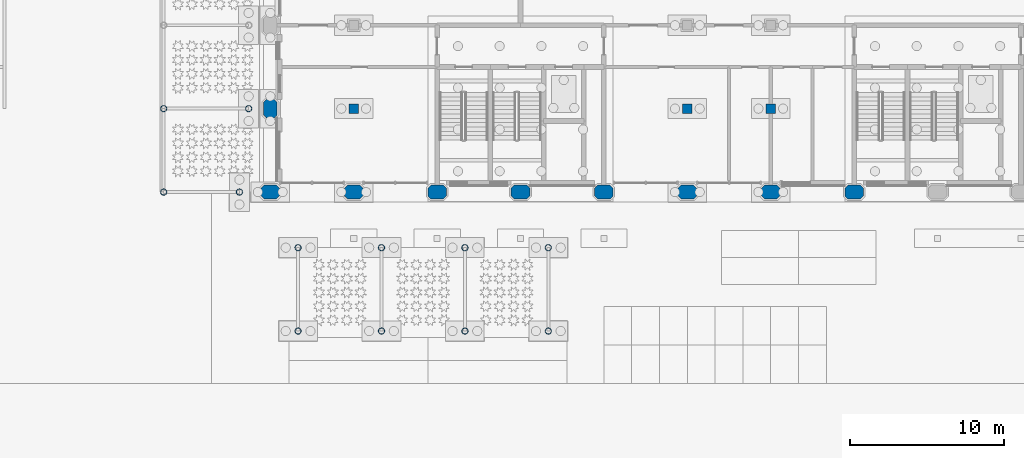
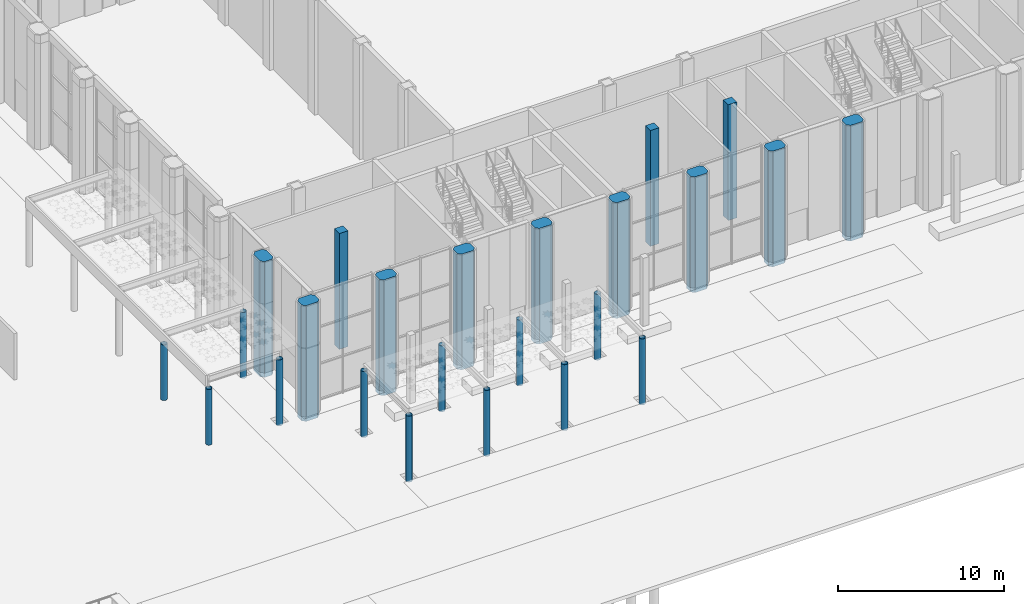
# One storey, part 4 of 54: 24 columns.
"""IFC4 building model written with IfcOpenShell, lengths in metres."""

from ifc_helpers import new_model, si_unit, direction, frame, origin, origin_2d, place, context, subcontext, project, spatial, polyline, rectangle, hollow_circle, outline, extrude, material, material_profile, profile_set, type_object, element, save


model = new_model("IFC4")

# Units and contexts
model_context = context("Model", 3, precision=1e-05, world=origin(), true_north=direction((0.0, 1.0)))
body_context = subcontext(model_context, "Body", "Model", "MODEL_VIEW")
ifc_project = project(units=[si_unit("LENGTHUNIT", "METRE"), si_unit("AREAUNIT", "SQUARE_METRE"), si_unit("VOLUMEUNIT", "CUBIC_METRE"), si_unit("PLANEANGLEUNIT", "RADIAN"), si_unit("MASSUNIT", "GRAM", prefix="KILO")], contexts=[model_context])

# Site, building, storey
site_placement = place(None, origin())
site = spatial("IfcSite", under=ifc_project, at=site_placement, CompositionType="ELEMENT")
building_placement = place(site_placement, origin())
building = spatial("IfcBuilding", under=site, at=building_placement, Name="Tabaq Tower and Sports Hall", CompositionType="ELEMENT")
storey_placement = place(building_placement, origin())
storey = spatial("IfcBuildingStorey", under=building, at=storey_placement, Name="L00", CompositionType="ELEMENT", Elevation=0.0)

# Columns
ifc_material_1 = material(Name="Steel S355", Category="steel")
ifc_material_profile_1 = material_profile(ifc_material_1, hollow_circle(Radius=0.203125, WallThickness=0.01611328125, at=origin_2d()), Name="CHS 406.4x16")
ifc_profile_set_1 = profile_set([ifc_material_profile_1], Name="Steel S355")
column_type_1 = type_object("IfcColumnType", Name="CANOPY COLUMN CHS 406.4x16", PredefinedType="COLUMN", material=ifc_profile_set_1)
column_1_placement = place(storey_placement, frame((62.800048828125, 0.0, -0.300048828125), z_axis=(0.0, 0.0, 1.0), x_axis=(1.0, 0.0, 0.0)))
element("IfcColumn", 1, at=column_1_placement, inside=storey, type_object=column_type_1, Name="Plaza canopy column PC1", PredefinedType="COLUMN", context=body_context, shape_type="SweptSolid", body=[
    extrude(hollow_circle(Radius=0.203125, WallThickness=0.01611328125, at=origin_2d()), origin(), (0.0, 0.0, 1.0), 4.843017578125),
])
column_2_placement = place(storey_placement, frame((57.89990234375, 0.0, 0.0), z_axis=(0.0, 0.0, 1.0), x_axis=(1.0, 0.0, 0.0)))
element("IfcColumn", 2, at=column_2_placement, inside=storey, type_object=column_type_1, Name="Plaza canopy front column PF1", PredefinedType="COLUMN", context=body_context, shape_type="SweptSolid", body=[
    extrude(hollow_circle(Radius=0.203125, WallThickness=0.01611328125, at=origin_2d()), origin(), (0.0, 0.0, 1.0), 4.0859375),
])
column_3_placement = place(storey_placement, frame((63.39990234375, 5.39990234375, -0.300048828125), z_axis=(0.0, 0.0, 1.0), x_axis=(1.0, 0.0, 0.0)))
element("IfcColumn", 3, at=column_3_placement, inside=storey, type_object=column_type_1, Name="Plaza canopy column PC2", PredefinedType="COLUMN", context=body_context, shape_type="SweptSolid", body=[
    extrude(hollow_circle(Radius=0.203125, WallThickness=0.01611328125, at=origin_2d()), origin(), (0.0, 0.0, 1.0), 4.843017578125),
])
column_4_placement = place(storey_placement, frame((57.89990234375, 5.39990234375, 0.0), z_axis=(0.0, 0.0, 1.0), x_axis=(1.0, 0.0, 0.0)))
element("IfcColumn", 4, at=column_4_placement, inside=storey, type_object=column_type_1, Name="Plaza canopy front column PF2", PredefinedType="COLUMN", context=body_context, shape_type="SweptSolid", body=[
    extrude(hollow_circle(Radius=0.203125, WallThickness=0.01611328125, at=origin_2d()), origin(), (0.0, 0.0, 1.0), 4.0859375),
])
for number, where, z_axis, x_axis, name in (
    (5, (66.60009765625, -3.60009765625, -0.300048828125), (0.0, 0.0, 1.0), (1.0, 0.0, 0.0), "Drop-off canopy rear column DC1R"),
    (6, (66.60009765625, -9.0, -0.300048828125), (0.0, 0.0, 1.0), (1.0, 0.0, 0.0), "Drop-off canopy column DC1"),
    (7, (72.0, -3.60009765625, -0.300048828125), (0.0, 0.0, 1.0), (1.0, 0.0, 0.0), "Drop-off canopy rear column DC2R"),
    (8, (72.0, -9.0, -0.300048828125), (0.0, 0.0, 1.0), (1.0, 0.0, 0.0), "Drop-off canopy column DC2"),
    (9, (77.39990234375, -3.60009765625, -0.300048828125), (0.0, 0.0, 1.0), (1.0, 0.0, 0.0), "Drop-off canopy rear column DC3R"),
    (10, (77.39990234375, -9.0, -0.300048828125), (0.0, 0.0, 1.0), (1.0, 0.0, 0.0), "Drop-off canopy column DC3"),
    (11, (82.800048828125, -3.60009765625, -0.300048828125), (0.0, 0.0, 1.0), (1.0, 0.0, 0.0), "Drop-off canopy rear column DC4R"),
    (12, (82.800048828125, -9.0, -0.300048828125), (0.0, 0.0, 1.0), (1.0, 0.0, 0.0), "Drop-off canopy column DC4"),
):
    element("IfcColumn", number, at=place(storey_placement, frame(where, z_axis=z_axis, x_axis=x_axis)), inside=storey, type_object=column_type_1, Name=name, PredefinedType="COLUMN", context=body_context, shape_type="SweptSolid", body=[
        extrude(hollow_circle(Radius=0.203125, WallThickness=0.01611328125, at=origin_2d()), origin(), (0.0, 0.0, 1.0), 4.843017578125),
    ])
ifc_material_2 = material(Name="Concrete C50/60", Category="concrete")
ifc_material_profile_2 = material_profile(ifc_material_2, rectangle(XDim=0.60009765625, YDim=0.60009765625, at=origin_2d()), Name="RC 600x600")
ifc_profile_set_2 = profile_set([ifc_material_profile_2], Name="Concrete C50/60")
column_type_2 = type_object("IfcColumnType", Name="HALL COLUMN RC 600x600", PredefinedType="COLUMN", material=ifc_profile_set_2)
for number, where, z_axis, x_axis, name in (
    (13, (70.199951171875, 5.39990234375, -0.39990234375), (0.0, 0.0, 1.0), (1.0, 0.0, 0.0), "Column 14B L00"),
    (14, (91.800048828125, 5.39990234375, -0.39990234375), (0.0, 0.0, 1.0), (1.0, 0.0, 0.0), "Column 18B L00"),
    (15, (97.199951171875, 5.39990234375, -0.39990234375), (0.0, 0.0, 1.0), (1.0, 0.0, 0.0), "Column 19B L00"),
):
    element("IfcColumn", number, at=place(storey_placement, frame(where, z_axis=z_axis, x_axis=x_axis)), inside=storey, type_object=column_type_2, Name=name, PredefinedType="COLUMN", context=body_context, shape_type="SweptSolid", body=[
        extrude(rectangle(XDim=0.60009765625, YDim=0.60009765625, at=origin_2d()), origin(), (0.0, 0.0, 1.0), 8.5),
    ])
ifc_material_3 = material(Name="Concrete C50/60", Category="concrete")
ifc_material_profile_3 = material_profile(ifc_material_3, outline(polyline([(-0.39990234375, -0.449951171875), (0.39990234375, -0.449951171875), (0.60009765625, -0.25), (0.60009765625, 0.25), (0.39990234375, 0.449951171875), (-0.39990234375, 0.449951171875), (-0.60009765625, 0.25), (-0.60009765625, -0.25), (-0.39990234375, -0.449951171875)])), Name="PIER 1200x900")
ifc_profile_set_3 = profile_set([ifc_material_profile_3], Name="Concrete C50/60")
column_type_3 = type_object("IfcColumnType", Name="HALL PIER RC 1200x900", PredefinedType="COLUMN", material=ifc_profile_set_3)
for number, where, z_axis, x_axis, name in (
    (16, (64.800048828125, 0.0, -0.39990234375), (0.0, 0.0, 1.0), (1.0, 0.0, 0.0), "Pier 13A L00"),
    (17, (64.800048828125, 5.39990234375, -0.39990234375), (0.0, 0.0, 1.0), (0.0, 1.0, 0.0), "Pier 13B L00"),
    (18, (70.199951171875, 0.0, -0.39990234375), (0.0, 0.0, 1.0), (1.0, 0.0, 0.0), "Pier 14A L00"),
    (19, (75.60009765625, 0.0, -0.39990234375), (0.0, 0.0, 1.0), (1.0, 0.0, 0.0), "Pier 15A L00"),
    (20, (81.0, 0.0, -0.39990234375), (0.0, 0.0, 1.0), (1.0, 0.0, 0.0), "Pier 16A L00"),
    (21, (86.39990234375, 0.0, -0.39990234375), (0.0, 0.0, 1.0), (1.0, 0.0, 0.0), "Pier 17A L00"),
    (22, (91.800048828125, 0.0, -0.39990234375), (0.0, 0.0, 1.0), (1.0, 0.0, 0.0), "Pier 18A L00"),
    (23, (97.199951171875, 0.0, -0.39990234375), (0.0, 0.0, 1.0), (1.0, 0.0, 0.0), "Pier 19A L00"),
    (24, (102.60009765625, 0.0, -0.39990234375), (0.0, 0.0, 1.0), (1.0, 0.0, 0.0), "Pier 20A L00"),
):
    element("IfcColumn", number, at=place(storey_placement, frame(where, z_axis=z_axis, x_axis=x_axis)), inside=storey, type_object=column_type_3, Name=name, PredefinedType="COLUMN", context=body_context, shape_type="SweptSolid", body=[
        extrude(outline(polyline([(-0.39990234375, -0.449951171875), (0.39990234375, -0.449951171875), (0.60009765625, -0.25), (0.60009765625, 0.25), (0.39990234375, 0.449951171875), (-0.39990234375, 0.449951171875), (-0.60009765625, 0.25), (-0.60009765625, -0.25), (-0.39990234375, -0.449951171875)])), origin(), (0.0, 0.0, 1.0), 8.5),
    ])

save(model, "model.ifc")
